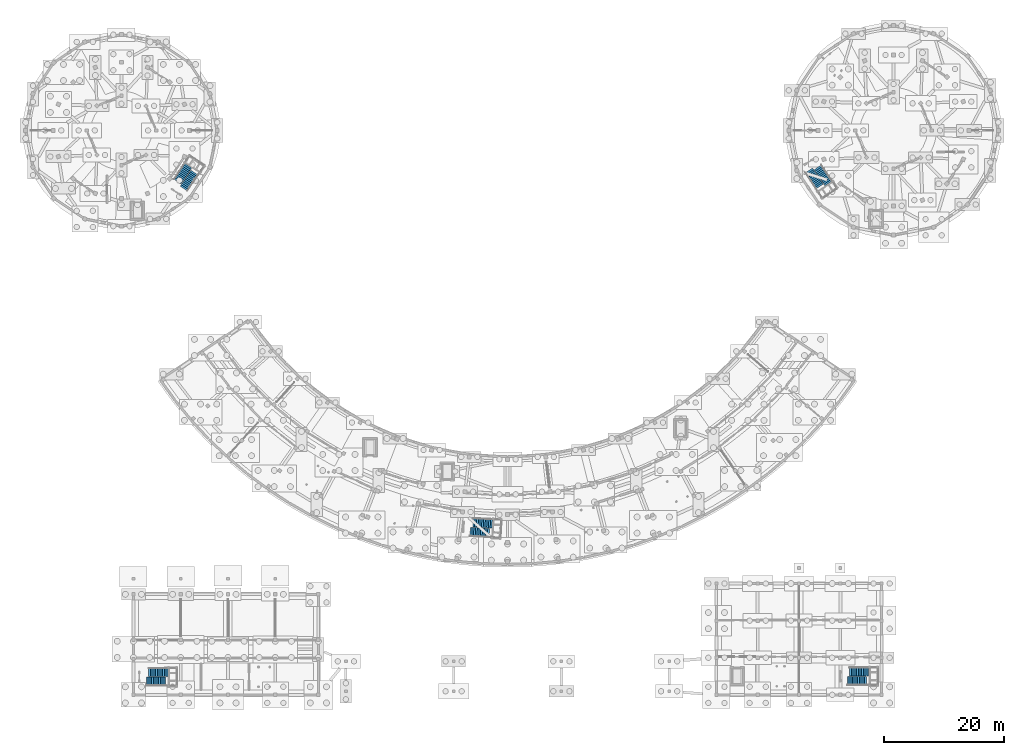
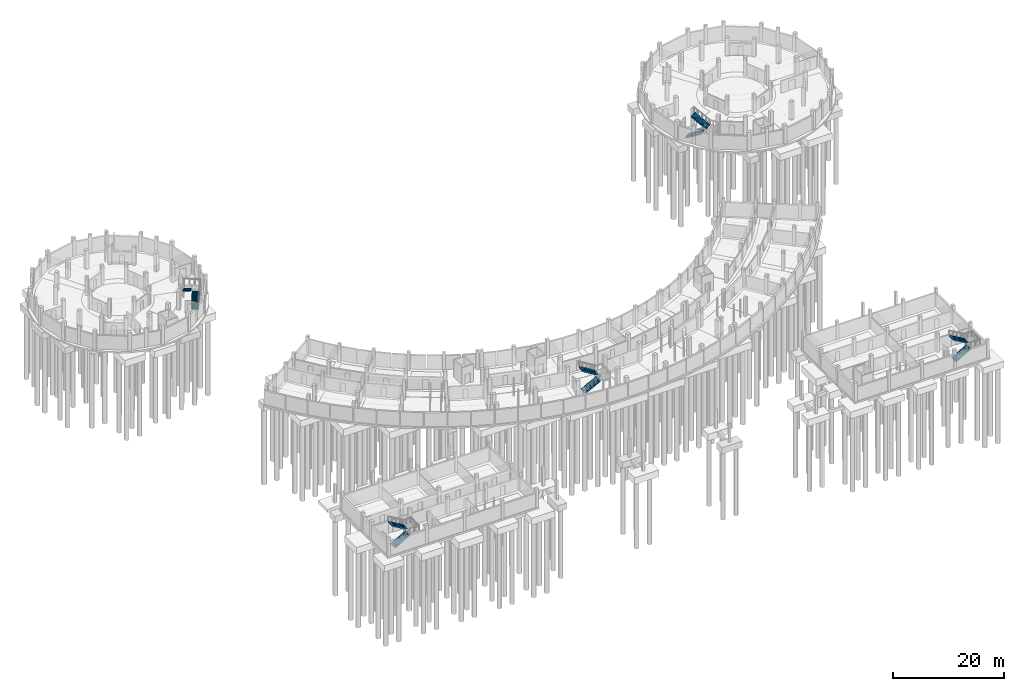
# One storey, part 47 of 58: 10 stair flights, 5 elements without a shape of their own.
"""IFC4 building model written with IfcOpenShell, lengths in metres."""

import ifcopenshell
import ifcopenshell.guid

model = None  # the IFC model being written
_history = None  # IfcOwnerHistory: only IFC2X3 demands one
_inside = {}  # id of a spatial element -> (the spatial element, [elements in it])
_under = {}  # id of a project, library or spatial element -> (it, [spatial elements below it])
_declared = {}  # id of a project -> (the project, [libraries it declares])
_typed = {}  # id of a type object -> (the type object, [elements of that type])
_made_of = {}  # id of a material, layer set ... -> (it, [elements and type objects made of it])


def new_model(schema):
    """Start an empty IFC model of exactly this schema.

    Asked for "IFC4X3", IfcOpenShell would pick the latest addendum, in which some entities
    have other attributes; the version numbers below select the first issue.
    IFC2X3 requires an IfcOwnerHistory on every rooted entity: one is made here for all.
    """
    global model, _history
    if schema == "IFC4X3":
        model = ifcopenshell.file(schema_version=(4, 3, 0, 0))
    else:
        model = ifcopenshell.file(schema=schema)
    _inside.clear()
    _under.clear()
    _declared.clear()
    _typed.clear()
    _made_of.clear()
    _history = None
    if model.schema == "IFC2X3":
        org = make("IfcOrganization", Name="unknown")
        user = make(
            "IfcPersonAndOrganization",
            ThePerson=make("IfcPerson", FamilyName="unknown"),
            TheOrganization=org,
        )
        app = make(
            "IfcApplication",
            ApplicationDeveloper=org,
            Version="unknown",
            ApplicationFullName="unknown",
            ApplicationIdentifier="unknown",
        )
        _history = make(
            "IfcOwnerHistory",
            OwningUser=user,
            OwningApplication=app,
            ChangeAction="ADDED",
            CreationDate=0,
        )
    return model


def make(cls, **values):
    """One entity of the class cls with the attributes given. An attribute that is None is left unset."""
    return model.create_entity(
        cls, **{name: value for name, value in values.items() if value is not None}
    )


def rooted(cls, **values):
    """An entity with a GlobalId (a new one), such as an element, a storey or a relation."""
    return make(cls, GlobalId=ifcopenshell.guid.new(), OwnerHistory=_history, **values)


def si_unit(unit_type, name, prefix=None):
    """IfcSIUnit, for example si_unit("LENGTHUNIT", "METRE", prefix="MILLI")."""
    return make("IfcSIUnit", UnitType=unit_type, Prefix=prefix, Name=name)


def assignment(units):
    """IfcUnitAssignment: the units of a project."""
    return None if units is None else make("IfcUnitAssignment", Units=units)


def point(xyz):
    """IfcCartesianPoint."""
    return None if xyz is None else make("IfcCartesianPoint", Coordinates=xyz)


def direction(xyz):
    """IfcDirection."""
    return None if xyz is None else make("IfcDirection", DirectionRatios=xyz)


def frame(location, z_axis=None, x_axis=None):
    """IfcAxis2Placement3D, a coordinate frame: its origin and axes. An axis left out is left unset."""
    return make(
        "IfcAxis2Placement3D",
        Location=point(location),
        Axis=direction(z_axis),
        RefDirection=direction(x_axis),
    )


def origin():
    """The frame at (0, 0, 0) with its axes left unset."""
    return frame((0.0, 0.0, 0.0))


def place(relative_to, where):
    """IfcLocalPlacement: puts the frame where relative to a parent placement (None: the world)."""
    return make(
        "IfcLocalPlacement", PlacementRelTo=relative_to, RelativePlacement=where
    )


def context(
    kind, dimensions, precision=None, world=None, true_north=None, identifier=None
):
    """IfcGeometricRepresentationContext, for example the 3D "Model" context."""
    return make(
        "IfcGeometricRepresentationContext",
        ContextIdentifier=identifier,
        ContextType=kind,
        CoordinateSpaceDimension=dimensions,
        Precision=precision,
        WorldCoordinateSystem=world,
        TrueNorth=true_north,
    )


def subcontext(parent, identifier, kind, view, scale=None):
    """IfcGeometricRepresentationSubContext, for example "Body" below "Model"."""
    return make(
        "IfcGeometricRepresentationSubContext",
        ContextIdentifier=identifier,
        ContextType=kind,
        ParentContext=parent,
        TargetScale=scale,
        TargetView=view,
    )


def project(units=None, contexts=None):
    """IfcProject with its units and contexts."""
    return rooted(
        "IfcProject",
        Name="project",
        RepresentationContexts=contexts,
        UnitsInContext=assignment(units),
    )


def spatial(cls, under=None, at=None, **own):
    """A site, building, storey or space (cls), placed at a placement, below another one or the project."""
    s = rooted(cls, ObjectPlacement=at, **own)
    if under is not None:
        _under.setdefault(under.id(), (under, []))[1].append(s)
    return s


def polyline(points):
    """IfcPolyline through the points."""
    return make("IfcPolyline", Points=[point(p) for p in points])


def outline(outer, holes=None, kind="AREA"):
    """IfcArbitraryClosedProfileDef: a profile drawn as a closed curve; with holes, ...WithVoids."""
    if holes is None:
        return make("IfcArbitraryClosedProfileDef", ProfileType=kind, OuterCurve=outer)
    return make(
        "IfcArbitraryProfileDefWithVoids",
        ProfileType=kind,
        OuterCurve=outer,
        InnerCurves=holes,
    )


def extrude(swept, where, along, depth):
    """IfcExtrudedAreaSolid: the profile swept, set in the frame where, extruded along a direction by depth."""
    return make(
        "IfcExtrudedAreaSolid",
        SweptArea=swept,
        Position=where,
        ExtrudedDirection=direction(along),
        Depth=depth,
    )


def shape(context_of_items, identifier, shape_type, items):
    """IfcShapeRepresentation: the items that make up one representation, for example the "Body"."""
    return make(
        "IfcShapeRepresentation",
        ContextOfItems=context_of_items,
        RepresentationIdentifier=identifier,
        RepresentationType=shape_type,
        Items=items,
    )


def material(Name=None, Category=None):
    """IfcMaterial."""
    return make("IfcMaterial", Name=Name, Category=Category)


def made_of(thing, what):
    """Note that an element or type object is made of a material, layer set ...; save() writes the relation."""
    if what is not None:
        _made_of.setdefault(what.id(), (what, []))[1].append(thing)
    return thing


def type_object(cls, material=None, **own):
    """A type object (cls), such as IfcWallType, which elements share."""
    return made_of(rooted(cls, **own), material)


def element(
    cls,
    number,
    at=None,
    inside=None,
    cuts=None,
    type_object=None,
    material=None,
    context=None,
    identifier="Body",
    shape_type=None,
    held_by="IfcProductDefinitionShape",
    body=None,
    shapes=None,
    **own,
):
    """One element of the class cls, such as IfcWall. Its Tag is "e" and its number.

    at: its placement. inside: the storey or other place that contains it. cuts: it is an
    opening in that element (IfcRelVoidsElement). A single representation is given by context,
    identifier, shape_type and body (its items); several are given by shapes. held_by: the class
    of the entity that holds the representations. save() writes the other relations.
    """
    e = rooted(cls, Tag="e%d" % number, ObjectPlacement=at, **own)
    if body is not None:
        shapes = [shape(context, identifier, shape_type, body)]
    if shapes is not None:
        e.Representation = make(held_by, Representations=shapes)
    if inside is not None:
        _inside.setdefault(inside.id(), (inside, []))[1].append(e)
    if cuts is not None:
        rooted(
            "IfcRelVoidsElement", RelatingBuildingElement=cuts, RelatedOpeningElement=e
        )
    if type_object is not None:
        _typed.setdefault(type_object.id(), (type_object, []))[1].append(e)
    return made_of(e, material)


def aggregate(whole, parts):
    """IfcRelAggregates: a whole, such as a stair, and the parts it consists of."""
    return rooted("IfcRelAggregates", RelatingObject=whole, RelatedObjects=parts)


def save(model, path):
    """Write the relations noted so far, then the file.

    IfcRelAggregates (storeys below a building ...), IfcRelContainedInSpatialStructure (elements
    in a storey), IfcRelDefinesByType, IfcRelAssociatesMaterial and IfcRelDeclares: one each for
    every whole, place, type object, material and project.
    """
    for whole, parts in _under.values():
        aggregate(whole, parts)
    for where, things in _inside.values():
        rooted(
            "IfcRelContainedInSpatialStructure",
            RelatedElements=things,
            RelatingStructure=where,
        )
    for kind, things in _typed.values():
        rooted("IfcRelDefinesByType", RelatedObjects=things, RelatingType=kind)
    for what, things in _made_of.values():
        rooted("IfcRelAssociatesMaterial", RelatedObjects=things, RelatingMaterial=what)
    for by, libraries in _declared.values():
        rooted("IfcRelDeclares", RelatingContext=by, RelatedDefinitions=libraries)
    model.write(path)


model = new_model("IFC4")

# Units and contexts
model_context = context("Model", 3, precision=1e-05, world=origin(), true_north=direction((0.0, 1.0)))
body_context = subcontext(model_context, "Body", "Model", "MODEL_VIEW")
ifc_project = project(units=[si_unit("LENGTHUNIT", "METRE"), si_unit("AREAUNIT", "SQUARE_METRE"), si_unit("VOLUMEUNIT", "CUBIC_METRE"), si_unit("PLANEANGLEUNIT", "RADIAN"), si_unit("MASSUNIT", "GRAM", prefix="KILO")], contexts=[model_context])

# Site, building, storey
site_placement = place(None, origin())
site = spatial("IfcSite", under=ifc_project, at=site_placement, CompositionType="ELEMENT")
building_placement = place(site_placement, origin())
building = spatial("IfcBuilding", under=site, at=building_placement, Name="Caldaven Crescent School", CompositionType="ELEMENT")
storey_placement = place(building_placement, frame((0.0, 0.0, -4.080078125)))
storey = spatial("IfcBuildingStorey", under=building, at=storey_placement, Name="B1", CompositionType="ELEMENT", Elevation=-4.080078125)

# Stair, stair flights
ifc_material = material(Name="Precast concrete C30/37", Category="concrete")
stair_type_1 = type_object("IfcStairType", Name="STR-S1", PredefinedType="TWO_STRAIGHT_RUN_STAIR", material=ifc_material)
stair_1_placement = place(storey_placement, origin())
stair_1 = element("IfcStair", 1, at=stair_1_placement, inside=storey, type_object=stair_type_1, Name="STAIR-STB1-B1", PredefinedType="TWO_STRAIGHT_RUN_STAIR")
stair_flight_type_1 = type_object("IfcStairFlightType", Name="STF-F1", PredefinedType="STRAIGHT", material=ifc_material)
stair_flight_1_placement = place(storey_placement, frame((33.936279296875, 88.78466796875, 0.0), z_axis=(0.0, 0.0, 1.0), x_axis=(0.55557023302, 0.831469612303, 0.0)))
stair_flight_1 = element("IfcStairFlight", 2, at=stair_flight_1_placement, type_object=stair_flight_type_1, Name="STB1-B1 flight 1", NumberOfRisers=12, NumberOfTreads=11, PredefinedType="STRAIGHT", RiserHeight=0.17, TreadLength=0.29, context=body_context, shape_type="SweptSolid", body=[
    extrude(outline(polyline([(0.0, 0.0), (0.0, 0.169921875), (0.2900390625, 0.169921875), (0.2900390625, 0.340087890625), (0.580078125, 0.340087890625), (0.580078125, 0.510009765625), (0.8701171875, 0.510009765625), (0.8701171875, 0.679931640625), (1.159912109375, 0.679931640625), (1.159912109375, 0.85009765625), (1.449951171875, 0.85009765625), (1.449951171875, 1.02001953125), (1.739990234375, 1.02001953125), (1.739990234375, 1.18994140625), (2.030029296875, 1.18994140625), (2.030029296875, 1.360107421875), (2.320068359375, 1.360107421875), (2.320068359375, 1.530029296875), (2.610107421875, 1.530029296875), (2.610107421875, 1.699951171875), (2.89990234375, 1.699951171875), (2.89990234375, 1.8701171875), (3.18994140625, 1.8701171875), (3.18994140625, 2.0400390625), (3.18994140625, 1.62890625), (0.411376953125, 0.0), (0.0, 0.0)])), frame((0.0, 0.72509765625, 0.0), z_axis=(0.0, -1.0, 0.0), x_axis=(1.0, 0.0, 0.0)), (0.0, 0.0, 1.0), 1.449951171875),
])
stair_flight_2_placement = place(storey_placement, frame((34.630859375, 92.614013671875, 2.0400390625), z_axis=(0.0, 0.0, 1.0), x_axis=(-0.55557023302, -0.831469612303, 0.0)))
stair_flight_2 = element("IfcStairFlight", 3, at=stair_flight_2_placement, type_object=stair_flight_type_1, Name="STB1-B1 flight 2", NumberOfRisers=12, NumberOfTreads=11, PredefinedType="STRAIGHT", RiserHeight=0.17, TreadLength=0.29, context=body_context, shape_type="SweptSolid", body=[
    extrude(outline(polyline([(0.0, 0.0), (0.0, 0.169921875), (0.2900390625, 0.169921875), (0.2900390625, 0.340087890625), (0.580078125, 0.340087890625), (0.580078125, 0.510009765625), (0.8701171875, 0.510009765625), (0.8701171875, 0.679931640625), (1.159912109375, 0.679931640625), (1.159912109375, 0.85009765625), (1.449951171875, 0.85009765625), (1.449951171875, 1.02001953125), (1.739990234375, 1.02001953125), (1.739990234375, 1.18994140625), (2.030029296875, 1.18994140625), (2.030029296875, 1.360107421875), (2.320068359375, 1.360107421875), (2.320068359375, 1.530029296875), (2.610107421875, 1.530029296875), (2.610107421875, 1.699951171875), (2.89990234375, 1.699951171875), (2.89990234375, 1.8701171875), (3.18994140625, 1.8701171875), (3.18994140625, 2.0400390625), (3.18994140625, 1.62890625), (0.411376953125, 0.0), (0.0, 0.0)])), frame((0.0, 0.72509765625, 0.0), z_axis=(0.0, -1.0, 0.0), x_axis=(1.0, 0.0, 0.0)), (0.0, 0.0, 1.0), 1.449951171875),
])
aggregate(stair_1, [stair_flight_1, stair_flight_2])

stair_2_placement = place(storey_placement, origin())
stair_2 = element("IfcStair", 4, at=stair_2_placement, inside=storey, type_object=stair_type_1, Name="STAIR-STB2-B1", PredefinedType="TWO_STRAIGHT_RUN_STAIR")
stair_flight_3_placement = place(storey_placement, frame((27.669921875, 6.425048828125, 0.0), z_axis=(0.0, 0.0, 1.0), x_axis=(1.0, 0.0, 0.0)))
stair_flight_3 = element("IfcStairFlight", 5, at=stair_flight_3_placement, type_object=stair_flight_type_1, Name="STB2-B1 flight 1", NumberOfRisers=12, NumberOfTreads=11, PredefinedType="STRAIGHT", RiserHeight=0.17, TreadLength=0.29, context=body_context, shape_type="SweptSolid", body=[
    extrude(outline(polyline([(0.0, 0.0), (0.0, 0.169921875), (0.2900390625, 0.169921875), (0.2900390625, 0.340087890625), (0.580078125, 0.340087890625), (0.580078125, 0.510009765625), (0.8701171875, 0.510009765625), (0.8701171875, 0.679931640625), (1.159912109375, 0.679931640625), (1.159912109375, 0.85009765625), (1.449951171875, 0.85009765625), (1.449951171875, 1.02001953125), (1.739990234375, 1.02001953125), (1.739990234375, 1.18994140625), (2.030029296875, 1.18994140625), (2.030029296875, 1.360107421875), (2.320068359375, 1.360107421875), (2.320068359375, 1.530029296875), (2.610107421875, 1.530029296875), (2.610107421875, 1.699951171875), (2.89990234375, 1.699951171875), (2.89990234375, 1.8701171875), (3.18994140625, 1.8701171875), (3.18994140625, 2.0400390625), (3.18994140625, 1.62890625), (0.411376953125, 0.0), (0.0, 0.0)])), frame((0.0, 0.72509765625, 0.0), z_axis=(0.0, -1.0, 0.0), x_axis=(1.0, 0.0, 0.0)), (0.0, 0.0, 1.0), 1.449951171875),
])
stair_flight_4_placement = place(storey_placement, frame((31.239990234375, 7.97509765625, 2.0400390625), z_axis=(0.0, 0.0, 1.0), x_axis=(-1.0, 0.0, 0.0)))
stair_flight_4 = element("IfcStairFlight", 6, at=stair_flight_4_placement, type_object=stair_flight_type_1, Name="STB2-B1 flight 2", NumberOfRisers=12, NumberOfTreads=11, PredefinedType="STRAIGHT", RiserHeight=0.17, TreadLength=0.29, context=body_context, shape_type="SweptSolid", body=[
    extrude(outline(polyline([(0.0, 0.0), (0.0, 0.169921875), (0.2900390625, 0.169921875), (0.2900390625, 0.340087890625), (0.580078125, 0.340087890625), (0.580078125, 0.510009765625), (0.8701171875, 0.510009765625), (0.8701171875, 0.679931640625), (1.159912109375, 0.679931640625), (1.159912109375, 0.85009765625), (1.449951171875, 0.85009765625), (1.449951171875, 1.02001953125), (1.739990234375, 1.02001953125), (1.739990234375, 1.18994140625), (2.030029296875, 1.18994140625), (2.030029296875, 1.360107421875), (2.320068359375, 1.360107421875), (2.320068359375, 1.530029296875), (2.610107421875, 1.530029296875), (2.610107421875, 1.699951171875), (2.89990234375, 1.699951171875), (2.89990234375, 1.8701171875), (3.18994140625, 1.8701171875), (3.18994140625, 2.0400390625), (3.18994140625, 1.62890625), (0.411376953125, 0.0), (0.0, 0.0)])), frame((0.0, 0.72509765625, 0.0), z_axis=(0.0, -1.0, 0.0), x_axis=(1.0, 0.0, 0.0)), (0.0, 0.0, 1.0), 1.449951171875),
])
aggregate(stair_2, [stair_flight_3, stair_flight_4])

stair_3_placement = place(storey_placement, origin())
stair_3 = element("IfcStair", 7, at=stair_3_placement, inside=storey, type_object=stair_type_1, Name="STAIR-STB4-B1", PredefinedType="TWO_STRAIGHT_RUN_STAIR")
stair_flight_5_placement = place(storey_placement, frame((144.77001953125, 6.52490234375, 0.0), z_axis=(0.0, 0.0, 1.0), x_axis=(1.0, 0.0, 0.0)))
stair_flight_5 = element("IfcStairFlight", 8, at=stair_flight_5_placement, type_object=stair_flight_type_1, Name="STB4-B1 flight 1", NumberOfRisers=12, NumberOfTreads=11, PredefinedType="STRAIGHT", RiserHeight=0.17, TreadLength=0.29, context=body_context, shape_type="SweptSolid", body=[
    extrude(outline(polyline([(0.0, 0.0), (0.0, 0.169921875), (0.2900390625, 0.169921875), (0.2900390625, 0.340087890625), (0.580078125, 0.340087890625), (0.580078125, 0.510009765625), (0.8701171875, 0.510009765625), (0.8701171875, 0.679931640625), (1.159912109375, 0.679931640625), (1.159912109375, 0.85009765625), (1.449951171875, 0.85009765625), (1.449951171875, 1.02001953125), (1.739990234375, 1.02001953125), (1.739990234375, 1.18994140625), (2.030029296875, 1.18994140625), (2.030029296875, 1.360107421875), (2.320068359375, 1.360107421875), (2.320068359375, 1.530029296875), (2.610107421875, 1.530029296875), (2.610107421875, 1.699951171875), (2.89990234375, 1.699951171875), (2.89990234375, 1.8701171875), (3.18994140625, 1.8701171875), (3.18994140625, 2.0400390625), (3.18994140625, 1.62890625), (0.411376953125, 0.0), (0.0, 0.0)])), frame((0.0, 0.72509765625, 0.0), z_axis=(0.0, -1.0, 0.0), x_axis=(1.0, 0.0, 0.0)), (0.0, 0.0, 1.0), 1.449951171875),
])
stair_flight_6_placement = place(storey_placement, frame((148.340087890625, 8.074951171875, 2.0400390625), z_axis=(0.0, 0.0, 1.0), x_axis=(-1.0, 0.0, 0.0)))
stair_flight_6 = element("IfcStairFlight", 9, at=stair_flight_6_placement, type_object=stair_flight_type_1, Name="STB4-B1 flight 2", NumberOfRisers=12, NumberOfTreads=11, PredefinedType="STRAIGHT", RiserHeight=0.17, TreadLength=0.29, context=body_context, shape_type="SweptSolid", body=[
    extrude(outline(polyline([(0.0, 0.0), (0.0, 0.169921875), (0.2900390625, 0.169921875), (0.2900390625, 0.340087890625), (0.580078125, 0.340087890625), (0.580078125, 0.510009765625), (0.8701171875, 0.510009765625), (0.8701171875, 0.679931640625), (1.159912109375, 0.679931640625), (1.159912109375, 0.85009765625), (1.449951171875, 0.85009765625), (1.449951171875, 1.02001953125), (1.739990234375, 1.02001953125), (1.739990234375, 1.18994140625), (2.030029296875, 1.18994140625), (2.030029296875, 1.360107421875), (2.320068359375, 1.360107421875), (2.320068359375, 1.530029296875), (2.610107421875, 1.530029296875), (2.610107421875, 1.699951171875), (2.89990234375, 1.699951171875), (2.89990234375, 1.8701171875), (3.18994140625, 1.8701171875), (3.18994140625, 2.0400390625), (3.18994140625, 1.62890625), (0.411376953125, 0.0), (0.0, 0.0)])), frame((0.0, 0.72509765625, 0.0), z_axis=(0.0, -1.0, 0.0), x_axis=(1.0, 0.0, 0.0)), (0.0, 0.0, 1.0), 1.449951171875),
])
aggregate(stair_3, [stair_flight_5, stair_flight_6])

stair_4_placement = place(storey_placement, origin())
stair_4 = element("IfcStair", 10, at=stair_4_placement, inside=storey, type_object=stair_type_1, Name="STAIR-STB5-B1", PredefinedType="TWO_STRAIGHT_RUN_STAIR")
stair_flight_7_placement = place(storey_placement, frame((138.3662109375, 91.79833984375, 0.0), z_axis=(0.0, 0.0, 1.0), x_axis=(0.55557023302, -0.831469612303, 0.0)))
stair_flight_7 = element("IfcStairFlight", 11, at=stair_flight_7_placement, type_object=stair_flight_type_1, Name="STB5-B1 flight 1", NumberOfRisers=12, NumberOfTreads=11, PredefinedType="STRAIGHT", RiserHeight=0.17, TreadLength=0.29, context=body_context, shape_type="SweptSolid", body=[
    extrude(outline(polyline([(0.0, 0.0), (0.0, 0.169921875), (0.2900390625, 0.169921875), (0.2900390625, 0.340087890625), (0.580078125, 0.340087890625), (0.580078125, 0.510009765625), (0.8701171875, 0.510009765625), (0.8701171875, 0.679931640625), (1.159912109375, 0.679931640625), (1.159912109375, 0.85009765625), (1.449951171875, 0.85009765625), (1.449951171875, 1.02001953125), (1.739990234375, 1.02001953125), (1.739990234375, 1.18994140625), (2.030029296875, 1.18994140625), (2.030029296875, 1.360107421875), (2.320068359375, 1.360107421875), (2.320068359375, 1.530029296875), (2.610107421875, 1.530029296875), (2.610107421875, 1.699951171875), (2.89990234375, 1.699951171875), (2.89990234375, 1.8701171875), (3.18994140625, 1.8701171875), (3.18994140625, 2.0400390625), (3.18994140625, 1.62890625), (0.411376953125, 0.0), (0.0, 0.0)])), frame((0.0, 0.72509765625, 0.0), z_axis=(0.0, -1.0, 0.0), x_axis=(1.0, 0.0, 0.0)), (0.0, 0.0, 1.0), 1.449951171875),
])
stair_flight_8_placement = place(storey_placement, frame((141.638427734375, 89.691162109375, 2.0400390625), z_axis=(0.0, 0.0, 1.0), x_axis=(-0.55557023302, 0.831469612303, 0.0)))
stair_flight_8 = element("IfcStairFlight", 12, at=stair_flight_8_placement, type_object=stair_flight_type_1, Name="STB5-B1 flight 2", NumberOfRisers=12, NumberOfTreads=11, PredefinedType="STRAIGHT", RiserHeight=0.17, TreadLength=0.29, context=body_context, shape_type="SweptSolid", body=[
    extrude(outline(polyline([(0.0, 0.0), (0.0, 0.169921875), (0.2900390625, 0.169921875), (0.2900390625, 0.340087890625), (0.580078125, 0.340087890625), (0.580078125, 0.510009765625), (0.8701171875, 0.510009765625), (0.8701171875, 0.679931640625), (1.159912109375, 0.679931640625), (1.159912109375, 0.85009765625), (1.449951171875, 0.85009765625), (1.449951171875, 1.02001953125), (1.739990234375, 1.02001953125), (1.739990234375, 1.18994140625), (2.030029296875, 1.18994140625), (2.030029296875, 1.360107421875), (2.320068359375, 1.360107421875), (2.320068359375, 1.530029296875), (2.610107421875, 1.530029296875), (2.610107421875, 1.699951171875), (2.89990234375, 1.699951171875), (2.89990234375, 1.8701171875), (3.18994140625, 1.8701171875), (3.18994140625, 2.0400390625), (3.18994140625, 1.62890625), (0.411376953125, 0.0), (0.0, 0.0)])), frame((0.0, 0.72509765625, 0.0), z_axis=(0.0, -1.0, 0.0), x_axis=(1.0, 0.0, 0.0)), (0.0, 0.0, 1.0), 1.449951171875),
])
aggregate(stair_4, [stair_flight_7, stair_flight_8])

stair_type_2 = type_object("IfcStairType", Name="STR-S2", PredefinedType="TWO_STRAIGHT_RUN_STAIR", material=ifc_material)
stair_5_placement = place(storey_placement, origin())
stair_5 = element("IfcStair", 13, at=stair_5_placement, inside=storey, type_object=stair_type_2, Name="STAIR-STB3-B1", PredefinedType="TWO_STRAIGHT_RUN_STAIR")
stair_flight_type_2 = type_object("IfcStairFlightType", Name="STF-F2", PredefinedType="STRAIGHT", material=ifc_material)
stair_flight_9_placement = place(storey_placement, frame((81.76708984375, 31.440185546875, 0.0), z_axis=(0.0, 0.0, 1.0), x_axis=(0.998134798422, -0.061048539535, 0.0)))
stair_flight_9 = element("IfcStairFlight", 14, at=stair_flight_9_placement, type_object=stair_flight_type_2, Name="STB3-B1 flight 1", NumberOfRisers=12, NumberOfTreads=11, PredefinedType="STRAIGHT", RiserHeight=0.17, TreadLength=0.29, context=body_context, shape_type="SweptSolid", body=[
    extrude(outline(polyline([(0.0, 0.0), (0.0, 0.169921875), (0.2900390625, 0.169921875), (0.2900390625, 0.340087890625), (0.580078125, 0.340087890625), (0.580078125, 0.510009765625), (0.8701171875, 0.510009765625), (0.8701171875, 0.679931640625), (1.159912109375, 0.679931640625), (1.159912109375, 0.85009765625), (1.449951171875, 0.85009765625), (1.449951171875, 1.02001953125), (1.739990234375, 1.02001953125), (1.739990234375, 1.18994140625), (2.030029296875, 1.18994140625), (2.030029296875, 1.360107421875), (2.320068359375, 1.360107421875), (2.320068359375, 1.530029296875), (2.610107421875, 1.530029296875), (2.610107421875, 1.699951171875), (2.89990234375, 1.699951171875), (2.89990234375, 1.8701171875), (3.18994140625, 1.8701171875), (3.18994140625, 2.0400390625), (3.18994140625, 1.61962890625), (0.42724609375, 0.0), (0.0, 0.0)])), frame((0.0, 0.75, 0.0), z_axis=(0.0, -1.0, 0.0), x_axis=(1.0, 0.0, 0.0)), (0.0, 0.0, 1.0), 1.5),
])
stair_flight_10_placement = place(storey_placement, frame((85.427978515625, 32.819091796875, 2.0400390625), z_axis=(0.0, 0.0, 1.0), x_axis=(-0.998134798422, 0.061048539535, 0.0)))
stair_flight_10 = element("IfcStairFlight", 15, at=stair_flight_10_placement, type_object=stair_flight_type_2, Name="STB3-B1 flight 2", NumberOfRisers=12, NumberOfTreads=11, PredefinedType="STRAIGHT", RiserHeight=0.17, TreadLength=0.29, context=body_context, shape_type="SweptSolid", body=[
    extrude(outline(polyline([(0.0, 0.0), (0.0, 0.169921875), (0.2900390625, 0.169921875), (0.2900390625, 0.340087890625), (0.580078125, 0.340087890625), (0.580078125, 0.510009765625), (0.8701171875, 0.510009765625), (0.8701171875, 0.679931640625), (1.159912109375, 0.679931640625), (1.159912109375, 0.85009765625), (1.449951171875, 0.85009765625), (1.449951171875, 1.02001953125), (1.739990234375, 1.02001953125), (1.739990234375, 1.18994140625), (2.030029296875, 1.18994140625), (2.030029296875, 1.360107421875), (2.320068359375, 1.360107421875), (2.320068359375, 1.530029296875), (2.610107421875, 1.530029296875), (2.610107421875, 1.699951171875), (2.89990234375, 1.699951171875), (2.89990234375, 1.8701171875), (3.18994140625, 1.8701171875), (3.18994140625, 2.0400390625), (3.18994140625, 1.61962890625), (0.42724609375, 0.0), (0.0, 0.0)])), frame((0.0, 0.75, 0.0), z_axis=(0.0, -1.0, 0.0), x_axis=(1.0, 0.0, 0.0)), (0.0, 0.0, 1.0), 1.5),
])
aggregate(stair_5, [stair_flight_9, stair_flight_10])

save(model, "model.ifc")
